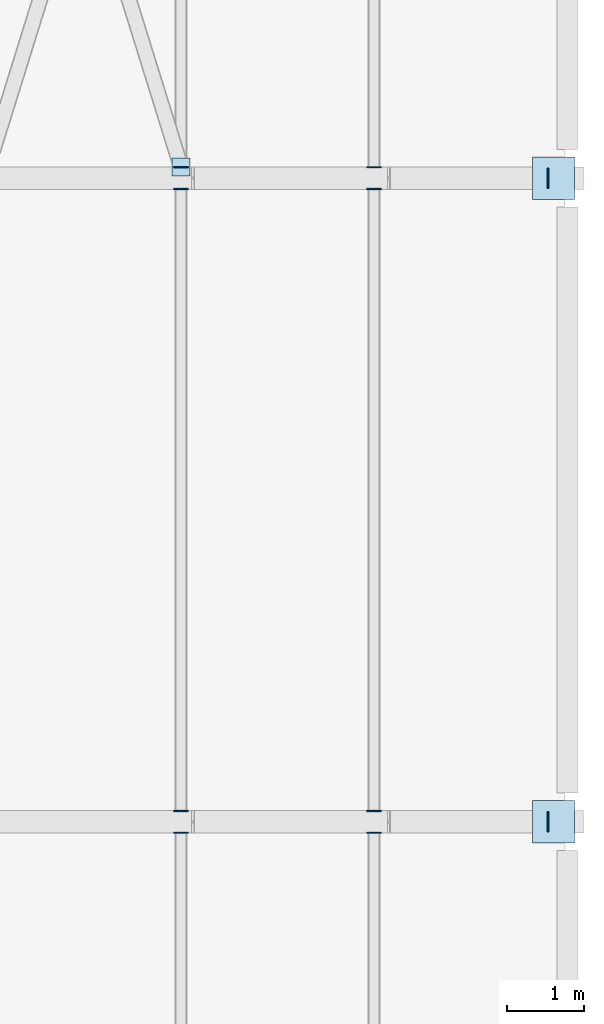
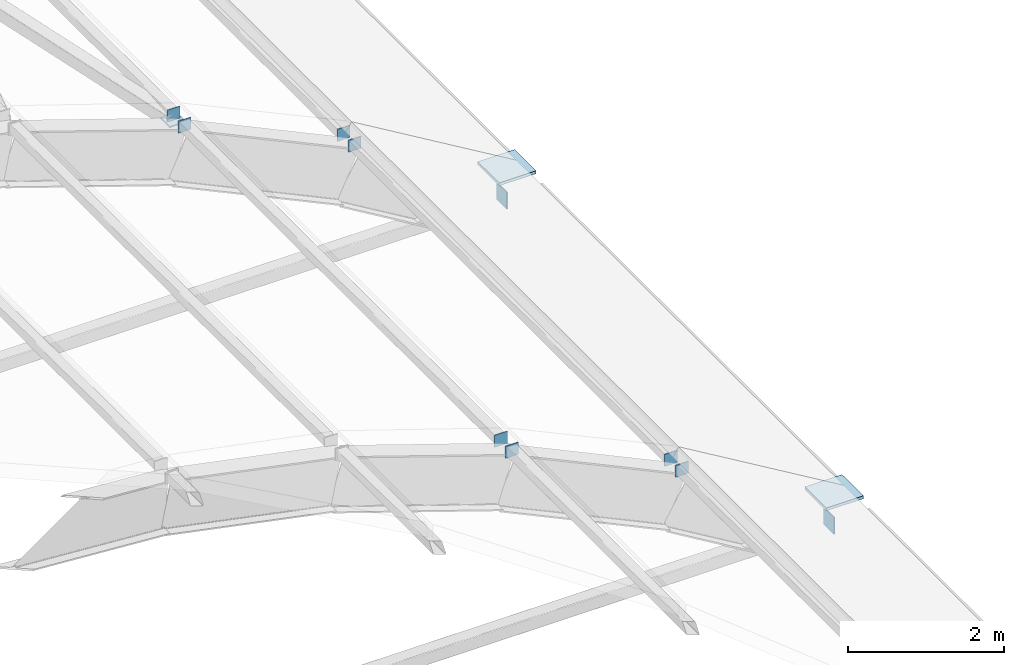
# One storey, part 88 of 107: 13 plates.
"""IFC4 building model written with IfcOpenShell, lengths in metres."""

import ifcopenshell
import ifcopenshell.guid

model = None  # the IFC model being written
_history = None  # IfcOwnerHistory: only IFC2X3 demands one
_inside = {}  # id of a spatial element -> (the spatial element, [elements in it])
_under = {}  # id of a project, library or spatial element -> (it, [spatial elements below it])
_declared = {}  # id of a project -> (the project, [libraries it declares])
_typed = {}  # id of a type object -> (the type object, [elements of that type])
_made_of = {}  # id of a material, layer set ... -> (it, [elements and type objects made of it])


def new_model(schema):
    """Start an empty IFC model of exactly this schema.

    Asked for "IFC4X3", IfcOpenShell would pick the latest addendum, in which some entities
    have other attributes; the version numbers below select the first issue.
    IFC2X3 requires an IfcOwnerHistory on every rooted entity: one is made here for all.
    """
    global model, _history
    if schema == "IFC4X3":
        model = ifcopenshell.file(schema_version=(4, 3, 0, 0))
    else:
        model = ifcopenshell.file(schema=schema)
    _inside.clear()
    _under.clear()
    _declared.clear()
    _typed.clear()
    _made_of.clear()
    _history = None
    if model.schema == "IFC2X3":
        org = make("IfcOrganization", Name="unknown")
        user = make(
            "IfcPersonAndOrganization",
            ThePerson=make("IfcPerson", FamilyName="unknown"),
            TheOrganization=org,
        )
        app = make(
            "IfcApplication",
            ApplicationDeveloper=org,
            Version="unknown",
            ApplicationFullName="unknown",
            ApplicationIdentifier="unknown",
        )
        _history = make(
            "IfcOwnerHistory",
            OwningUser=user,
            OwningApplication=app,
            ChangeAction="ADDED",
            CreationDate=0,
        )
    return model


def make(cls, **values):
    """One entity of the class cls with the attributes given. An attribute that is None is left unset."""
    return model.create_entity(
        cls, **{name: value for name, value in values.items() if value is not None}
    )


def rooted(cls, **values):
    """An entity with a GlobalId (a new one), such as an element, a storey or a relation."""
    return make(cls, GlobalId=ifcopenshell.guid.new(), OwnerHistory=_history, **values)


def si_unit(unit_type, name, prefix=None):
    """IfcSIUnit, for example si_unit("LENGTHUNIT", "METRE", prefix="MILLI")."""
    return make("IfcSIUnit", UnitType=unit_type, Prefix=prefix, Name=name)


def assignment(units):
    """IfcUnitAssignment: the units of a project."""
    return None if units is None else make("IfcUnitAssignment", Units=units)


def point(xyz):
    """IfcCartesianPoint."""
    return None if xyz is None else make("IfcCartesianPoint", Coordinates=xyz)


def direction(xyz):
    """IfcDirection."""
    return None if xyz is None else make("IfcDirection", DirectionRatios=xyz)


def frame(location, z_axis=None, x_axis=None):
    """IfcAxis2Placement3D, a coordinate frame: its origin and axes. An axis left out is left unset."""
    return make(
        "IfcAxis2Placement3D",
        Location=point(location),
        Axis=direction(z_axis),
        RefDirection=direction(x_axis),
    )


def frame_2d(location, x_axis=None):
    """IfcAxis2Placement2D, a coordinate frame in the plane: its origin and x axis."""
    return make(
        "IfcAxis2Placement2D", Location=point(location), RefDirection=direction(x_axis)
    )


def origin():
    """The frame at (0, 0, 0) with its axes left unset."""
    return frame((0.0, 0.0, 0.0))


def origin_2d():
    """The frame at (0, 0) in the plane with its x axis left unset."""
    return frame_2d((0.0, 0.0))


def place(relative_to, where):
    """IfcLocalPlacement: puts the frame where relative to a parent placement (None: the world)."""
    return make(
        "IfcLocalPlacement", PlacementRelTo=relative_to, RelativePlacement=where
    )


def context(
    kind, dimensions, precision=None, world=None, true_north=None, identifier=None
):
    """IfcGeometricRepresentationContext, for example the 3D "Model" context."""
    return make(
        "IfcGeometricRepresentationContext",
        ContextIdentifier=identifier,
        ContextType=kind,
        CoordinateSpaceDimension=dimensions,
        Precision=precision,
        WorldCoordinateSystem=world,
        TrueNorth=true_north,
    )


def subcontext(parent, identifier, kind, view, scale=None):
    """IfcGeometricRepresentationSubContext, for example "Body" below "Model"."""
    return make(
        "IfcGeometricRepresentationSubContext",
        ContextIdentifier=identifier,
        ContextType=kind,
        ParentContext=parent,
        TargetScale=scale,
        TargetView=view,
    )


def project(units=None, contexts=None):
    """IfcProject with its units and contexts."""
    return rooted(
        "IfcProject",
        Name="project",
        RepresentationContexts=contexts,
        UnitsInContext=assignment(units),
    )


def spatial(cls, under=None, at=None, **own):
    """A site, building, storey or space (cls), placed at a placement, below another one or the project."""
    s = rooted(cls, ObjectPlacement=at, **own)
    if under is not None:
        _under.setdefault(under.id(), (under, []))[1].append(s)
    return s


def profile(cls, at=None, kind="AREA", **sizes):
    """A parametric profile (cls). Its sizes go by their IFC names, for example OverallWidth=200.0."""
    return make(cls, ProfileType=kind, Position=at, **sizes)


def rectangle(**sizes):
    """IfcRectangleProfileDef."""
    return profile("IfcRectangleProfileDef", **sizes)


def extrude(swept, where, along, depth):
    """IfcExtrudedAreaSolid: the profile swept, set in the frame where, extruded along a direction by depth."""
    return make(
        "IfcExtrudedAreaSolid",
        SweptArea=swept,
        Position=where,
        ExtrudedDirection=direction(along),
        Depth=depth,
    )


def shape(context_of_items, identifier, shape_type, items):
    """IfcShapeRepresentation: the items that make up one representation, for example the "Body"."""
    return make(
        "IfcShapeRepresentation",
        ContextOfItems=context_of_items,
        RepresentationIdentifier=identifier,
        RepresentationType=shape_type,
        Items=items,
    )


def material(Name=None, Category=None):
    """IfcMaterial."""
    return make("IfcMaterial", Name=Name, Category=Category)


def layer(
    of_material, thickness, ventilated=None, Name=None, Category=None, Priority=None
):
    """IfcMaterialLayer: one layer of a wall or slab, of a material (None: an air gap)."""
    return make(
        "IfcMaterialLayer",
        Material=of_material,
        LayerThickness=thickness,
        IsVentilated=ventilated,
        Name=Name,
        Category=Category,
        Priority=Priority,
    )


def layer_set(layers, Name=None):
    """IfcMaterialLayerSet."""
    return make("IfcMaterialLayerSet", MaterialLayers=layers, LayerSetName=Name)


def made_of(thing, what):
    """Note that an element or type object is made of a material, layer set ...; save() writes the relation."""
    if what is not None:
        _made_of.setdefault(what.id(), (what, []))[1].append(thing)
    return thing


def type_object(cls, material=None, **own):
    """A type object (cls), such as IfcWallType, which elements share."""
    return made_of(rooted(cls, **own), material)


def element(
    cls,
    number,
    at=None,
    inside=None,
    cuts=None,
    type_object=None,
    material=None,
    context=None,
    identifier="Body",
    shape_type=None,
    held_by="IfcProductDefinitionShape",
    body=None,
    shapes=None,
    **own,
):
    """One element of the class cls, such as IfcWall. Its Tag is "e" and its number.

    at: its placement. inside: the storey or other place that contains it. cuts: it is an
    opening in that element (IfcRelVoidsElement). A single representation is given by context,
    identifier, shape_type and body (its items); several are given by shapes. held_by: the class
    of the entity that holds the representations. save() writes the other relations.
    """
    e = rooted(cls, Tag="e%d" % number, ObjectPlacement=at, **own)
    if body is not None:
        shapes = [shape(context, identifier, shape_type, body)]
    if shapes is not None:
        e.Representation = make(held_by, Representations=shapes)
    if inside is not None:
        _inside.setdefault(inside.id(), (inside, []))[1].append(e)
    if cuts is not None:
        rooted(
            "IfcRelVoidsElement", RelatingBuildingElement=cuts, RelatedOpeningElement=e
        )
    if type_object is not None:
        _typed.setdefault(type_object.id(), (type_object, []))[1].append(e)
    return made_of(e, material)


def aggregate(whole, parts):
    """IfcRelAggregates: a whole, such as a stair, and the parts it consists of."""
    return rooted("IfcRelAggregates", RelatingObject=whole, RelatedObjects=parts)


def save(model, path):
    """Write the relations noted so far, then the file.

    IfcRelAggregates (storeys below a building ...), IfcRelContainedInSpatialStructure (elements
    in a storey), IfcRelDefinesByType, IfcRelAssociatesMaterial and IfcRelDeclares: one each for
    every whole, place, type object, material and project.
    """
    for whole, parts in _under.values():
        aggregate(whole, parts)
    for where, things in _inside.values():
        rooted(
            "IfcRelContainedInSpatialStructure",
            RelatedElements=things,
            RelatingStructure=where,
        )
    for kind, things in _typed.values():
        rooted("IfcRelDefinesByType", RelatedObjects=things, RelatingType=kind)
    for what, things in _made_of.values():
        rooted("IfcRelAssociatesMaterial", RelatedObjects=things, RelatingMaterial=what)
    for by, libraries in _declared.values():
        rooted("IfcRelDeclares", RelatingContext=by, RelatedDefinitions=libraries)
    model.write(path)


model = new_model("IFC4")

# Units and contexts
model_context = context("Model", 3, precision=1e-05, world=origin(), true_north=direction((0.0, 1.0)))
body_context = subcontext(model_context, "Body", "Model", "MODEL_VIEW")
ifc_project = project(units=[si_unit("LENGTHUNIT", "METRE"), si_unit("AREAUNIT", "SQUARE_METRE"), si_unit("VOLUMEUNIT", "CUBIC_METRE"), si_unit("PLANEANGLEUNIT", "RADIAN"), si_unit("MASSUNIT", "GRAM", prefix="KILO")], contexts=[model_context])

# Site, building, storey
site_placement = place(None, origin())
site = spatial("IfcSite", under=ifc_project, at=site_placement, CompositionType="ELEMENT")
building_placement = place(site_placement, origin())
building = spatial("IfcBuilding", under=site, at=building_placement, Name="Vireocrest Preparatory School", CompositionType="ELEMENT")
storey_placement = place(building_placement, frame((0.0, 0.0, 13.199951171875)))
storey = spatial("IfcBuildingStorey", under=building, at=storey_placement, Name="L03", CompositionType="ELEMENT", Elevation=13.199951171875)

# Plates
ifc_material = material(Name="Structural steel ASTM A572 Grade 50", Category="steel")
ifc_layer_1 = layer(ifc_material, 0.013916015625)
ifc_layer_set_1 = layer_set([ifc_layer_1], Name="Structural steel ASTM A572 Grade 50")
plate_type_1 = type_object("IfcPlateType", Name="Assembly Vault Purlin Steel End Cap Plate 14", PredefinedType="SHEET", material=ifc_layer_set_1)
for number, where, z_axis, x_axis, name in (
    (1, (162.9599609375, 35.259033203125, 2.26171875), (0.0, 0.0, 1.0), (1.0, 0.0, 0.0), "Purlin End Cap CP3 VAULT_ASSEMBLY B2-N-9"),
    (2, (165.47998046875, 35.259033203125, 1.0810546875), (0.0, 0.0, 1.0), (1.0, 0.0, 0.0), "Purlin End Cap CP3 VAULT_ASSEMBLY B2-N-10"),
    (3, (162.9599609375, 35.541015625, 2.26171875), (0.0, 0.0, 1.0), (1.0, 0.0, 0.0), "Purlin End Cap CP3 VAULT_ASSEMBLY B3-S-9"),
    (4, (162.9599609375, 43.658935546875, 2.26171875), (0.0, 0.0, 1.0), (1.0, 0.0, 0.0), "Purlin End Cap CP3 VAULT_ASSEMBLY B3-N-9"),
    (5, (165.47998046875, 35.541015625, 1.0810546875), (0.0, 0.0, 1.0), (1.0, 0.0, 0.0), "Purlin End Cap CP3 VAULT_ASSEMBLY B3-S-10"),
    (6, (165.47998046875, 43.658935546875, 1.0810546875), (0.0, 0.0, 1.0), (1.0, 0.0, 0.0), "Purlin End Cap CP3 VAULT_ASSEMBLY B3-N-10"),
    (7, (162.9599609375, 43.94091796875, 2.26171875), (0.0, 0.0, 1.0), (1.0, 0.0, 0.0), "Purlin End Cap CP3 VAULT_ASSEMBLY B4-S-9"),
    (8, (165.47998046875, 43.94091796875, 1.0810546875), (0.0, 0.0, 1.0), (1.0, 0.0, 0.0), "Purlin End Cap CP3 VAULT_ASSEMBLY B4-S-10"),
):
    element("IfcPlate", number, at=place(storey_placement, frame(where, z_axis=z_axis, x_axis=x_axis)), inside=storey, type_object=plate_type_1, Name=name, PredefinedType="SHEET", context=body_context, shape_type="SweptSolid", body=[
        extrude(rectangle(XDim=0.18798828125, YDim=0.013916015625, at=origin_2d()), origin(), (0.0, 0.0, 1.0), 0.18798828125),
    ])
ifc_layer_2 = layer(ifc_material, 0.0458984375)
ifc_layer_set_2 = layer_set([ifc_layer_2], Name="Structural steel ASTM A572 Grade 50")
plate_type_2 = type_object("IfcPlateType", Name="Barrel-Vault Springing Gusset Shoe Plate 46", PredefinedType="SHEET", material=ifc_layer_set_2)
for number, where, z_axis, x_axis, name in (
    (9, (167.820068359375, 35.39990234375, -0.122802734375), (0.0, 0.0, 1.0), (1.0, 0.0, 0.0), "Node AS1 Vault Springing Shoe VAULT_ASSEMBLY-3E"),
    (10, (167.820068359375, 43.800048828125, -0.122802734375), (0.0, 0.0, 1.0), (1.0, 0.0, 0.0), "Node AS1 Vault Springing Shoe VAULT_ASSEMBLY-4E"),
):
    element("IfcPlate", number, at=place(storey_placement, frame(where, z_axis=z_axis, x_axis=x_axis)), inside=storey, type_object=plate_type_2, Name=name, PredefinedType="SHEET", context=body_context, shape_type="SweptSolid", body=[
        extrude(rectangle(XDim=0.550048828125, YDim=0.550048828125, at=origin_2d()), origin(), (0.0, 0.0, 1.0), 0.0458984375),
    ])
ifc_layer_3 = layer(ifc_material, 0.02001953125)
ifc_layer_set_3 = layer_set([ifc_layer_3], Name="Structural steel ASTM A572 Grade 50")
plate_type_3 = type_object("IfcPlateType", Name="Hollow Section Steel End Cap Plate 20", PredefinedType="SHEET", material=ifc_layer_set_3)
for number, where, z_axis, x_axis, name in (
    (11, (167.75, 35.39990234375, -0.6455078125), (0.0, 0.0, 1.0), (1.0, 0.0, 0.0), "End Cap Plate CP1 VAULT_ASSEMBLY Tie 3E"),
    (12, (167.75, 43.800048828125, -0.6455078125), (0.0, 0.0, 1.0), (1.0, 0.0, 0.0), "End Cap Plate CP1 VAULT_ASSEMBLY Tie 4E"),
):
    element("IfcPlate", number, at=place(storey_placement, frame(where, z_axis=z_axis, x_axis=x_axis)), inside=storey, type_object=plate_type_3, Name=name, PredefinedType="SHEET", context=body_context, shape_type="SweptSolid", body=[
        extrude(rectangle(XDim=0.02001953125, YDim=0.262939453125, at=origin_2d()), origin(), (0.0, 0.0, 1.0), 0.262939453125),
    ])
plate_placement = place(storey_placement, frame((162.9599609375, 43.946044921875, 2.2509765625), z_axis=(0.0, 0.0, 1.0), x_axis=(1.0, 0.0, 0.0)))
element("IfcPlate", 13, at=plate_placement, inside=storey, type_object=plate_type_3, Name="Brace Cap Plate CP1 VAULT_ASSEMBLY-4-8D", PredefinedType="SHEET", context=body_context, shape_type="SweptSolid", body=[
    extrude(rectangle(XDim=0.239990234375, YDim=0.239990234375, at=origin_2d()), origin(), (0.0, 0.0, 1.0), 0.02001953125),
])

save(model, "model.ifc")
